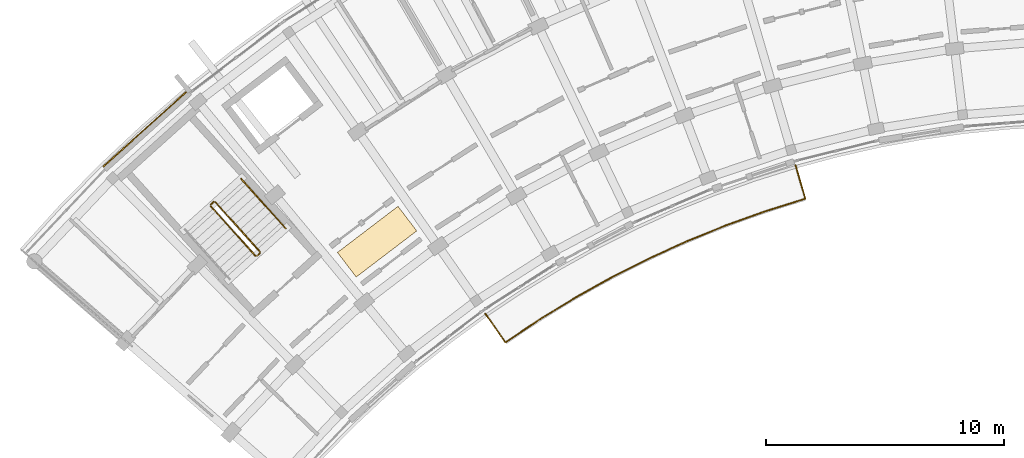
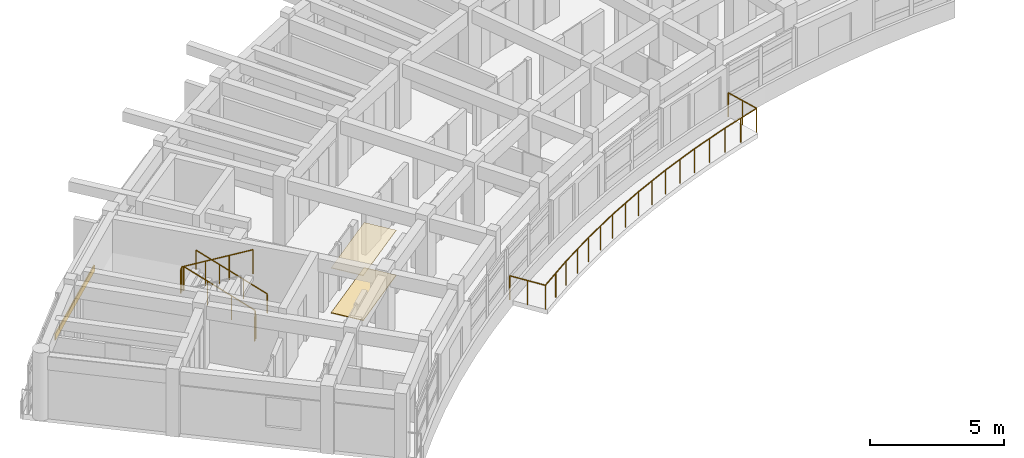
# One storey, part 42 of 54: 6 railings, 3 coverings.
"""IFC4 building model written with IfcOpenShell, lengths in metres."""

from ifc_helpers import new_model, si_unit, direction, frame, origin, origin_2d, place, context, subcontext, project, spatial, rectangle, circle, extrude, material, layer, layer_set, type_object, element, save


model = new_model("IFC4")

# Units and contexts
model_context = context("Model", 3, precision=1e-05, world=origin(), true_north=direction((0.0, 1.0)))
body_context = subcontext(model_context, "Body", "Model", "MODEL_VIEW")
ifc_project = project(units=[si_unit("LENGTHUNIT", "METRE"), si_unit("AREAUNIT", "SQUARE_METRE"), si_unit("VOLUMEUNIT", "CUBIC_METRE"), si_unit("PLANEANGLEUNIT", "RADIAN"), si_unit("MASSUNIT", "GRAM", prefix="KILO")], contexts=[model_context])

# Site, building, storey
site_placement = place(None, origin())
site = spatial("IfcSite", under=ifc_project, at=site_placement, CompositionType="ELEMENT")
building_placement = place(site_placement, origin())
building = spatial("IfcBuilding", under=site, at=building_placement, Name="Zimvara Arc Housing Community", CompositionType="ELEMENT")
storey_placement = place(building_placement, frame((0.0, 0.0, 23.60009765625)))
storey = spatial("IfcBuildingStorey", under=building, at=storey_placement, Name="L07", CompositionType="ELEMENT", Elevation=23.60009765625)

# Coverings
ifc_material_1 = material(Name="Pale-Gold Anodised Aluminium Cladding", Category="aluminium")
ifc_layer_1 = layer(ifc_material_1, 0.044921875)
ifc_layer_set_1 = layer_set([ifc_layer_1], Name="Pale-Gold Anodised Aluminium Cladding")
covering_type_1 = type_object("IfcCoveringType", Name="CLD-GOLD-02", PredefinedType="CLADDING", material=ifc_layer_set_1)
covering_1_placement = place(storey_placement, frame((5.228271484375, 88.701904296875, 0.009765625), z_axis=(0.0, 0.0, 1.0), x_axis=(0.74337718344, 0.668872456557, 0.0)))
element("IfcCovering", 1, at=covering_1_placement, inside=storey, type_object=covering_type_1, Name="cld:blkA:L07:out:b1", PredefinedType="CLADDING", context=body_context, shape_type="SweptSolid", body=[
    extrude(rectangle(XDim=4.748779296875, YDim=0.044921875, at=origin_2d()), origin(), (0.0, 0.0, 1.0), 0.300048828125),
])
ifc_material_2 = material(Name="Perforated Acoustic Ceiling Board")
ifc_layer_2 = layer(ifc_material_2, 0.030029296875)
ifc_layer_set_2 = layer_set([ifc_layer_2], Name="Perforated Acoustic Ceiling Board")
covering_type_2 = type_object("IfcCoveringType", Name="COV-CEIL-04", PredefinedType="CEILING", material=ifc_layer_set_2)
covering_2_placement = place(storey_placement, frame((14.974853515625, 83.959228515625, 2.0498046875), z_axis=(0.0, 0.0, 1.0), x_axis=(-0.605988400266, 0.795473480855, 0.0)))
element("IfcCovering", 2, at=covering_2_placement, inside=storey, type_object=covering_type_2, Name="ceil:blkA:L07", PredefinedType="CEILING", context=body_context, shape_type="SweptSolid", body=[
    extrude(rectangle(XDim=1.300048828125, YDim=3.199951171875, at=origin_2d()), origin(), (0.0, 0.0, 1.0), 0.030029296875),
])
ifc_material_3 = material(Name="Polished Coastal Sand Terrazzo")
ifc_layer_3 = layer(ifc_material_3, 0.031982421875)
ifc_layer_set_3 = layer_set([ifc_layer_3], Name="Polished Coastal Sand Terrazzo")
covering_type_3 = type_object("IfcCoveringType", Name="COV-FLOR-04", PredefinedType="FLOORING", material=ifc_layer_set_3)
covering_3_placement = place(storey_placement, frame((14.974853515625, 83.959228515625, 0.0), z_axis=(0.0, 0.0, 1.0), x_axis=(-0.605988400266, 0.795473480855, 0.0)))
element("IfcCovering", 3, at=covering_3_placement, inside=storey, type_object=covering_type_3, Name="flor:blkA:L07", PredefinedType="FLOORING", context=body_context, shape_type="SweptSolid", body=[
    extrude(rectangle(XDim=1.300048828125, YDim=3.199951171875, at=origin_2d()), origin(), (0.0, 0.0, 1.0), 0.031982421875),
])

# Railings
ifc_material_4 = material(Name="Anodised Aluminium AW-6063", Category="aluminium")
railing_type_1 = type_object("IfcRailingType", Name="RLG-BAL-1120", PredefinedType="BALUSTRADE", material=ifc_material_4)
railing_1_placement = place(storey_placement, frame((19.530029296875, 80.92919921875, 0.0)))
element("IfcRailing", 4, at=railing_1_placement, inside=storey, type_object=railing_type_1, Name="rlg:blkA:L07:bal_in_guard", PredefinedType="BALUSTRADE", context=body_context, shape_type="SweptSolid", body=[
    extrude(circle(Radius=0.02392578125, at=origin_2d()), frame((0.0, 0.0, 1.09619140625), z_axis=(0.572960666414, -0.819582866306, 0.0), x_axis=(0.819582866306, 0.572960666414, 0.0)), (0.0, 0.0, 1.0), 1.469970703125),
    extrude(circle(Radius=0.02392578125, at=origin_2d()), frame((0.84228515625, -1.204833984375, 1.09619140625), z_axis=(0.83110751259, 0.556111771604, 0.0), x_axis=(-0.556111771604, 0.83110751259, 0.0)), (0.0, 0.0, 1.0), 1.755126953125),
    extrude(circle(Radius=0.02392578125, at=origin_2d()), frame((2.301025390625, -0.228759765625, 1.09619140625), z_axis=(0.853092665747, 0.52175943082, 0.0), x_axis=(-0.52175943082, 0.853092665747, 0.0)), (0.0, 0.0, 1.0), 1.755126953125),
    extrude(circle(Radius=0.02392578125, at=origin_2d()), frame((3.79833984375, 0.68701171875, 1.09619140625), z_axis=(0.873651601958, 0.486552030513, 0.0), x_axis=(-0.486552030513, 0.873651601958, 0.0)), (0.0, 0.0, 1.0), 1.755126953125),
    extrude(circle(Radius=0.02392578125, at=origin_2d()), frame((5.331787109375, 1.541015625, 1.09619140625), z_axis=(0.892835912271, 0.450382097512, 0.0), x_axis=(-0.450382097512, 0.892835912271, 0.0)), (0.0, 0.0, 1.0), 1.755126953125),
    extrude(circle(Radius=0.02392578125, at=origin_2d()), frame((6.89892578125, 2.33154296875, 1.09619140625), z_axis=(0.91049504579, 0.413519977258, 0.0), x_axis=(-0.413519977258, 0.91049504579, 0.0)), (0.0, 0.0, 1.0), 1.755126953125),
    extrude(circle(Radius=0.02392578125, at=origin_2d()), frame((8.4970703125, 3.057373046875, 1.09619140625), z_axis=(0.926565071811, 0.376134507458, 0.0), x_axis=(-0.376134507458, 0.926565071811, 0.0)), (0.0, 0.0, 1.0), 1.755126953125),
    extrude(circle(Radius=0.02392578125, at=origin_2d()), frame((10.123291015625, 3.717529296875, 1.09619140625), z_axis=(0.941158376395, 0.33796584227, 0.0), x_axis=(-0.33796584227, 0.941158376395, 0.0)), (0.0, 0.0, 1.0), 1.75537109375),
    extrude(circle(Radius=0.02392578125, at=origin_2d()), frame((11.775390625, 4.310791015625, 1.09619140625), z_axis=(0.954192435663, 0.299193575672, 0.0), x_axis=(-0.299193575672, 0.954192435663, 0.0)), (0.0, 0.0, 1.0), 1.755126953125),
    extrude(circle(Radius=0.02392578125, at=origin_2d()), frame((13.4501953125, 4.8359375, 1.09619140625), z_axis=(-0.279719338513, 0.960081815087, 0.0), x_axis=(-0.960081815087, -0.279719338513, 0.0)), (0.0, 0.0, 1.0), 1.4697265625),
    extrude(circle(Radius=0.02099609375, at=origin_2d()), origin(), (0.0, 0.0, 1.0), 1.072021484375),
    extrude(circle(Radius=0.02099609375, at=origin_2d()), frame((0.421142578125, -0.6025390625, 0.0)), (0.0, 0.0, 1.0), 1.072021484375),
    extrude(circle(Radius=0.02099609375, at=origin_2d()), frame((0.84228515625, -1.204833984375, 0.0)), (0.0, 0.0, 1.0), 1.072021484375),
    extrude(circle(Radius=0.02099609375, at=origin_2d()), frame((1.57177734375, -0.716796875, 0.0)), (0.0, 0.0, 1.0), 1.072021484375),
    extrude(circle(Radius=0.02099609375, at=origin_2d()), frame((2.301025390625, -0.228759765625, 0.0)), (0.0, 0.0, 1.0), 1.072021484375),
    extrude(circle(Radius=0.02099609375, at=origin_2d()), frame((3.0498046875, 0.22900390625, 0.0)), (0.0, 0.0, 1.0), 1.072021484375),
    extrude(circle(Radius=0.02099609375, at=origin_2d()), frame((3.79833984375, 0.68701171875, 0.0)), (0.0, 0.0, 1.0), 1.072021484375),
    extrude(circle(Radius=0.02099609375, at=origin_2d()), frame((4.56494140625, 1.114013671875, 0.0)), (0.0, 0.0, 1.0), 1.072021484375),
    extrude(circle(Radius=0.02099609375, at=origin_2d()), frame((5.331787109375, 1.541015625, 0.0)), (0.0, 0.0, 1.0), 1.072021484375),
    extrude(circle(Radius=0.02099609375, at=origin_2d()), frame((6.115234375, 1.936279296875, 0.0)), (0.0, 0.0, 1.0), 1.072021484375),
    extrude(circle(Radius=0.02099609375, at=origin_2d()), frame((6.89892578125, 2.33154296875, 0.0)), (0.0, 0.0, 1.0), 1.072021484375),
    extrude(circle(Radius=0.02099609375, at=origin_2d()), frame((7.697998046875, 2.6943359375, 0.0)), (0.0, 0.0, 1.0), 1.072021484375),
    extrude(circle(Radius=0.02099609375, at=origin_2d()), frame((8.4970703125, 3.057373046875, 0.0)), (0.0, 0.0, 1.0), 1.072021484375),
    extrude(circle(Radius=0.02099609375, at=origin_2d()), frame((9.31005859375, 3.387451171875, 0.0)), (0.0, 0.0, 1.0), 1.072021484375),
    extrude(circle(Radius=0.02099609375, at=origin_2d()), frame((10.123291015625, 3.717529296875, 0.0)), (0.0, 0.0, 1.0), 1.072021484375),
    extrude(circle(Radius=0.02099609375, at=origin_2d()), frame((10.94921875, 4.01416015625, 0.0)), (0.0, 0.0, 1.0), 1.072021484375),
    extrude(circle(Radius=0.02099609375, at=origin_2d()), frame((11.775390625, 4.310791015625, 0.0)), (0.0, 0.0, 1.0), 1.072021484375),
    extrude(circle(Radius=0.02099609375, at=origin_2d()), frame((12.61279296875, 4.5732421875, 0.0)), (0.0, 0.0, 1.0), 1.072021484375),
    extrude(circle(Radius=0.02099609375, at=origin_2d()), frame((13.4501953125, 4.8359375, 0.0)), (0.0, 0.0, 1.0), 1.072021484375),
    extrude(circle(Radius=0.02099609375, at=origin_2d()), frame((13.24462890625, 5.54150390625, 0.0)), (0.0, 0.0, 1.0), 1.072021484375),
    extrude(circle(Radius=0.02099609375, at=origin_2d()), frame((13.0390625, 6.2470703125, 0.0)), (0.0, 0.0, 1.0), 1.072021484375),
])
railing_2_placement = place(storey_placement, frame((10.0478515625, 83.5400390625, 0.15478515625)))
element("IfcRailing", 5, at=railing_2_placement, inside=storey, type_object=railing_type_1, Name="L07 ST-A1 stair guard 1", PredefinedType="BALUSTRADE", context=body_context, shape_type="SweptSolid", body=[
    extrude(circle(Radius=0.02392578125, at=origin_2d()), frame((0.0, 0.0, 1.09619140625), z_axis=(-0.599018063854, 0.665748660595, 0.444922555162), x_axis=(-0.743380604779, -0.668868654101, 0.0)), (0.0, 0.0, 1.0), 3.135498046875),
    extrude(circle(Radius=0.02099609375, at=origin_2d()), origin(), (0.0, 0.0, 1.0), 1.072021484375),
    extrude(circle(Radius=0.02099609375, at=origin_2d()), frame((-0.6259765625, 0.69580078125, 0.465087890625)), (0.0, 0.0, 1.0), 1.072021484375),
    extrude(circle(Radius=0.02099609375, at=origin_2d()), frame((-1.252197265625, 1.3916015625, 0.929931640625)), (0.0, 0.0, 1.0), 1.072021484375),
    extrude(circle(Radius=0.02099609375, at=origin_2d()), frame((-1.878173828125, 2.08740234375, 1.39501953125)), (0.0, 0.0, 1.0), 1.072021484375),
])
railing_3_placement = place(storey_placement, frame((8.098876953125, 85.631103515625, 1.5498046875)))
element("IfcRailing", 6, at=railing_3_placement, inside=storey, type_object=railing_type_1, Name="L07 ST-A1 stair guard 2", PredefinedType="BALUSTRADE", context=body_context, shape_type="SweptSolid", body=[
    extrude(circle(Radius=0.02392578125, at=origin_2d()), frame((0.0, 0.0, 1.09619140625), z_axis=(-0.743521848755, -0.668711642207, 0.0), x_axis=(0.668711642207, -0.743521848755, 0.0)), (0.0, 0.0, 1.0), 0.159912109375),
    extrude(circle(Radius=0.02099609375, at=origin_2d()), origin(), (0.0, 0.0, 1.0), 1.072021484375),
    extrude(circle(Radius=0.02099609375, at=origin_2d()), frame((-0.118896484375, -0.10693359375, 0.0)), (0.0, 0.0, 1.0), 1.072021484375),
])
railing_4_placement = place(storey_placement, frame((7.976318359375, 85.453369140625, 1.704833984375)))
element("IfcRailing", 7, at=railing_4_placement, inside=storey, type_object=railing_type_1, Name="L07 ST-A1 stair guard 3", PredefinedType="BALUSTRADE", context=body_context, shape_type="SweptSolid", body=[
    extrude(circle(Radius=0.02392578125, at=origin_2d()), frame((0.0, 0.0, 1.09619140625), z_axis=(0.599018063854, -0.665748660595, 0.444922555162), x_axis=(0.743380604779, 0.668868654101, 0.0)), (0.0, 0.0, 1.0), 3.135498046875),
    extrude(circle(Radius=0.02099609375, at=origin_2d()), origin(), (0.0, 0.0, 1.0), 1.072021484375),
    extrude(circle(Radius=0.02099609375, at=origin_2d()), frame((0.6259765625, -0.69580078125, 0.465087890625)), (0.0, 0.0, 1.0), 1.072021484375),
    extrude(circle(Radius=0.02099609375, at=origin_2d()), frame((1.252197265625, -1.3916015625, 0.929931640625)), (0.0, 0.0, 1.0), 1.072021484375),
    extrude(circle(Radius=0.02099609375, at=origin_2d()), frame((1.878173828125, -2.08740234375, 1.39501953125)), (0.0, 0.0, 1.0), 1.072021484375),
])
railing_5_placement = place(storey_placement, frame((10.0439453125, 83.469482421875, 0.0)))
element("IfcRailing", 8, at=railing_5_placement, inside=storey, type_object=railing_type_1, Name="L07 ST-A1 stair guard 4", PredefinedType="BALUSTRADE", context=body_context, shape_type="SweptSolid", body=[
    extrude(circle(Radius=0.02392578125, at=origin_2d()), frame((0.0, 0.0, 1.09619140625), z_axis=(-0.742763048172, -0.669554369913, 0.0), x_axis=(0.669554369913, -0.742763048172, 0.0)), (0.0, 0.0, 1.0), 0.16015625),
    extrude(circle(Radius=0.02099609375, at=origin_2d()), origin(), (0.0, 0.0, 1.0), 1.072021484375),
    extrude(circle(Radius=0.02099609375, at=origin_2d()), frame((-0.118896484375, -0.107177734375, 0.0)), (0.0, 0.0, 1.0), 1.072021484375),
])
ifc_material_5 = material(Name="Anodised Aluminium AW-6063", Category="aluminium")
railing_type_2 = type_object("IfcRailingType", Name="RLG-HND-900", PredefinedType="HANDRAIL", material=ifc_material_5)
railing_6_placement = place(storey_placement, frame((11.133056640625, 84.5166015625, 0.15478515625)))
element("IfcRailing", 9, at=railing_6_placement, inside=storey, type_object=railing_type_2, Name="L07 ST-A1 stair handrail 1", PredefinedType="HANDRAIL", context=body_context, shape_type="SweptSolid", body=[
    extrude(circle(Radius=0.02392578125, at=origin_2d()), frame((0.0, 0.0, 0.8759765625), z_axis=(-0.599018063854, 0.665748660595, 0.444922555162), x_axis=(-0.743380604779, -0.668868654101, 0.0)), (0.0, 0.0, 1.0), 3.135498046875),
    extrude(circle(Radius=0.02099609375, at=origin_2d()), origin(), (0.0, 0.0, 1.0), 0.851806640625),
    extrude(circle(Radius=0.02099609375, at=origin_2d()), frame((-0.6259765625, 0.69580078125, 0.465087890625)), (0.0, 0.0, 1.0), 0.851806640625),
    extrude(circle(Radius=0.02099609375, at=origin_2d()), frame((-1.252197265625, 1.3916015625, 0.929931640625)), (0.0, 0.0, 1.0), 0.851806640625),
    extrude(circle(Radius=0.02099609375, at=origin_2d()), frame((-1.878173828125, 2.08740234375, 1.39501953125)), (0.0, 0.0, 1.0), 0.851806640625),
])

save(model, "model.ifc")
